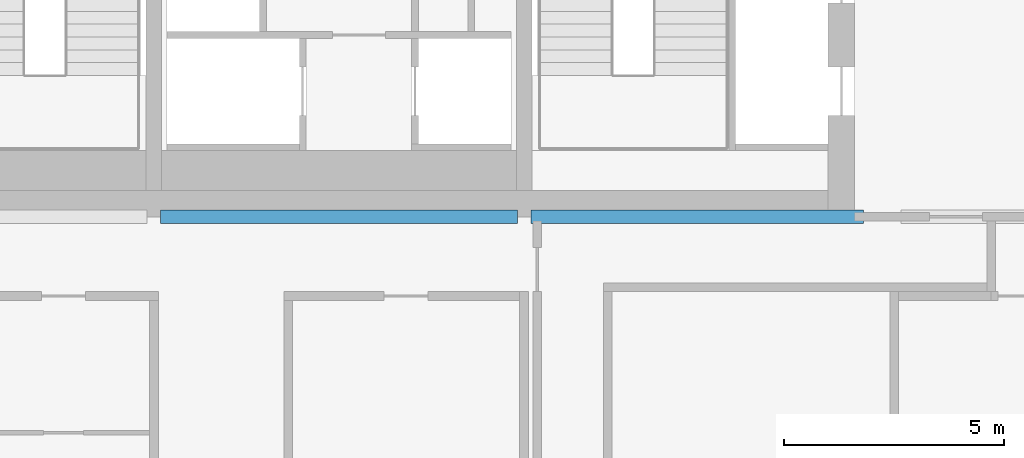
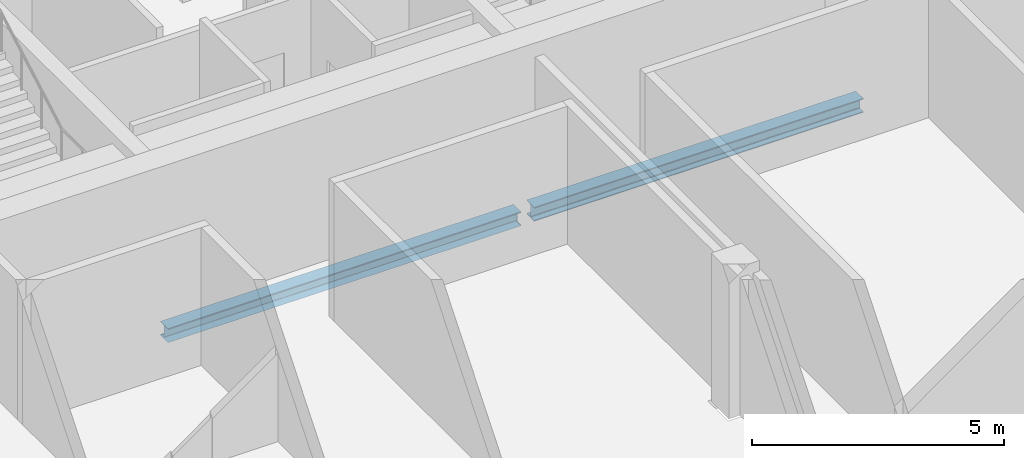
# One storey, part 9 of 21: 2 beams.
"""IFC4 building model written with IfcOpenShell, lengths in metres."""

from ifc_helpers import new_model, si_unit, direction, frame, origin, origin_2d, place, context, subcontext, project, spatial, i_section, extrude, material, material_profile, profile_set, type_object, element, save


model = new_model("IFC4")

# Units and contexts
model_context = context("Model", 3, precision=1e-05, world=origin(), true_north=direction((0.0, 1.0)))
body_context = subcontext(model_context, "Body", "Model", "MODEL_VIEW")
ifc_project = project(units=[si_unit("LENGTHUNIT", "METRE"), si_unit("AREAUNIT", "SQUARE_METRE"), si_unit("VOLUMEUNIT", "CUBIC_METRE"), si_unit("PLANEANGLEUNIT", "RADIAN"), si_unit("MASSUNIT", "GRAM", prefix="KILO")], contexts=[model_context])

# Site, building, storey
site_placement = place(None, origin())
site = spatial("IfcSite", under=ifc_project, at=site_placement, CompositionType="ELEMENT")
building_placement = place(site_placement, origin())
building = spatial("IfcBuilding", under=site, at=building_placement, Name="Marenta Gate Hotel Tower", CompositionType="ELEMENT")
storey_placement = place(building_placement, frame((0.0, 0.0, 266.89990234375)))
storey = spatial("IfcBuildingStorey", under=building, at=storey_placement, Name="L61", CompositionType="ELEMENT", Elevation=266.89990234375)

# Beams
ifc_material = material(Name="Steel S355", Category="steel")
ifc_material_profile = material_profile(ifc_material, i_section(OverallWidth=0.300048828125, OverallDepth=0.340087890625, WebThickness=0.011962890625, FlangeThickness=0.021484375, FilletRadius=0.027099609375, at=origin_2d()), Name="HEB 340")
ifc_profile_set = profile_set([ifc_material_profile], Name="Steel S355")
beam_type = type_object("IfcBeamType", Name="Girder HEB 340", PredefinedType="BEAM", material=ifc_profile_set)
beam_1_placement = place(storey_placement, frame((-4.048583984375, 0.0, -0.429931640625), z_axis=(1.0, 0.0, 0.0), x_axis=(0.0, 1.0, 0.0)))
element("IfcBeam", 1, at=beam_1_placement, inside=storey, type_object=beam_type, Name="L61-GD-19", PredefinedType="BEAM", context=body_context, shape_type="SweptSolid", body=[
    extrude(i_section(OverallWidth=0.300048828125, OverallDepth=0.340087890625, WebThickness=0.011962890625, FlangeThickness=0.021484375, FilletRadius=0.027099609375, at=origin_2d()), origin(), (0.0, 0.0, 1.0), 8.09716796875),
])
beam_2_placement = place(storey_placement, frame((4.3515625, 0.0, -0.429931640625), z_axis=(1.0, 0.0, 0.0), x_axis=(0.0, 1.0, 0.0)))
element("IfcBeam", 2, at=beam_2_placement, inside=storey, type_object=beam_type, Name="L61-GD-20", PredefinedType="BEAM", context=body_context, shape_type="SweptSolid", body=[
    extrude(i_section(OverallWidth=0.300048828125, OverallDepth=0.340087890625, WebThickness=0.011962890625, FlangeThickness=0.021484375, FilletRadius=0.027099609375, at=origin_2d()), origin(), (0.0, 0.0, 1.0), 7.54833984375),
])

save(model, "model.ifc")
